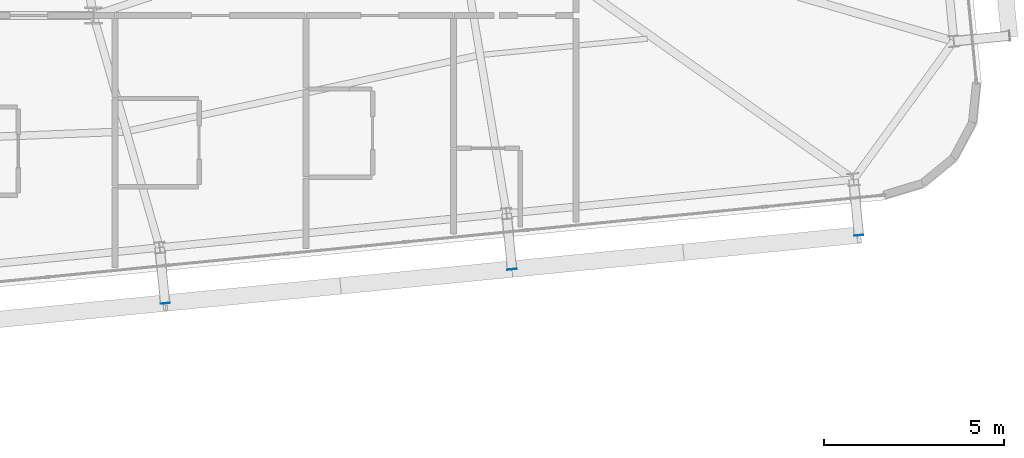
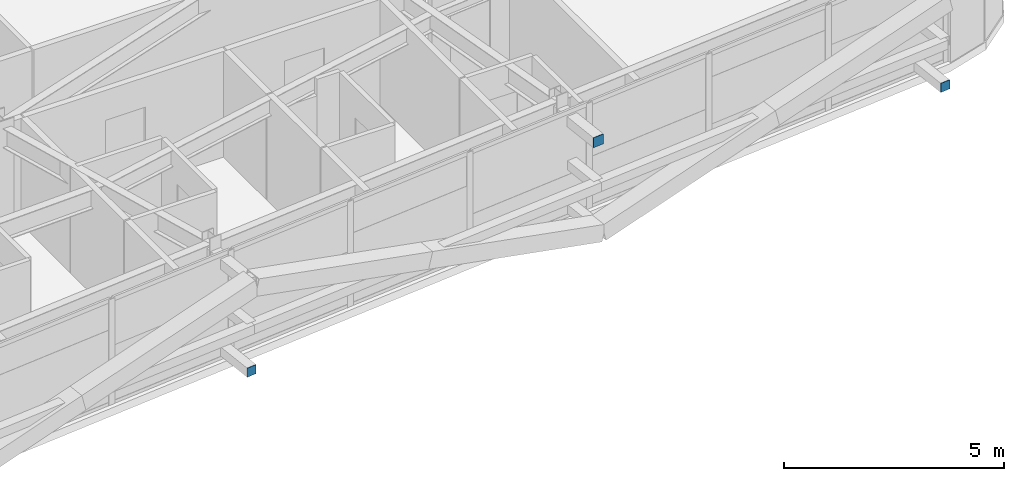
# One storey, part 41 of 53: 3 plates.
"""IFC4 building model written with IfcOpenShell, lengths in metres."""

from ifc_helpers import new_model, si_unit, direction, frame, origin, origin_2d, place, context, subcontext, project, spatial, rectangle, extrude, source, transform, mapped, material, layer, layer_set, type_object, element, save


model = new_model("IFC4")

# Units and contexts
model_context = context("Model", 3, precision=1e-05, world=origin(), true_north=direction((0.0, 1.0)))
body_context = subcontext(model_context, "Body", "Model", "MODEL_VIEW")
ifc_project = project(units=[si_unit("LENGTHUNIT", "METRE"), si_unit("AREAUNIT", "SQUARE_METRE"), si_unit("VOLUMEUNIT", "CUBIC_METRE"), si_unit("PLANEANGLEUNIT", "RADIAN"), si_unit("MASSUNIT", "GRAM", prefix="KILO")], contexts=[model_context])

# Site, building, storey
site_placement = place(None, origin())
site = spatial("IfcSite", under=ifc_project, at=site_placement, CompositionType="ELEMENT")
building_placement = place(site_placement, origin())
building = spatial("IfcBuilding", under=site, at=building_placement, Name="Taldren Reach Tower", CompositionType="ELEMENT")
storey_placement = place(building_placement, frame((0.0, 0.0, 68.25)))
storey = spatial("IfcBuildingStorey", under=building, at=storey_placement, Name="L20", CompositionType="ELEMENT", Elevation=68.25)

# Plates
ifc_material_1 = material(Name="Steel Gr 450 (C450L0)", Category="steel")
ifc_layer_1 = layer(ifc_material_1, 0.011962890625)
ifc_layer_set_1 = layer_set([ifc_layer_1], Name="Steel Gr 450 (C450L0)")
plate_type_1 = type_object("IfcPlateType", Name="PL-CAP-275", PredefinedType="SHEET", material=ifc_layer_set_1)
shared_shape_1 = source(origin(), body_context, "Body", "SweptSolid", [
    extrude(rectangle(XDim=0.27490234375, YDim=0.011962890625, at=origin_2d()), origin(), (0.0, 0.0, 1.0), 0.27490234375),
])
plate_placement = place(storey_placement, frame((53.62109375, 2.14990234375, 2.512451171875), z_axis=(0.0, 0.0, 1.0), x_axis=(0.995227399982, 0.097582899759, 0.0)))
element("IfcPlate", 1, at=plate_placement, inside=storey, type_object=plate_type_1, Name="Tie strut end cap plate B2-S5 L20", PredefinedType="SHEET", context=body_context, shape_type="MappedRepresentation", body=[
    mapped(shared_shape_1, transform((0.0, 0.0, 0.0), scale=1.0)),
])
ifc_material_2 = material(Name="Steel Gr 350 (C350L0)", Category="steel")
ifc_layer_2 = layer(ifc_material_2, 0.011962890625)
ifc_layer_set_2 = layer_set([ifc_layer_2], Name="Steel Gr 350 (C350L0)")
plate_type_2 = type_object("IfcPlateType", Name="PL-CAP-250", PredefinedType="SHEET", material=ifc_layer_set_2)
shared_shape_2 = source(origin(), body_context, "Body", "SweptSolid", [
    extrude(rectangle(XDim=0.25, YDim=0.011962890625, at=origin_2d()), origin(), (0.0, 0.0, 1.0), 0.25),
])
for number, where, z_axis, x_axis, name in (
    (2, (43.9873046875, 1.205322265625, 0.094970703125), (0.0, 0.0, 1.0), (0.995227399982, 0.097582899759, 0.0), "Tie strut end cap plate B2-S4 L20"),
    (3, (63.255126953125, 3.094482421875, 0.094970703125), (0.0, 0.0, 1.0), (0.995227399982, 0.097582899759, 0.0), "Tie strut end cap plate B2-S6 L20"),
):
    element("IfcPlate", number, at=place(storey_placement, frame(where, z_axis=z_axis, x_axis=x_axis)), inside=storey, type_object=plate_type_2, Name=name, PredefinedType="SHEET", context=body_context, shape_type="MappedRepresentation", body=[
        mapped(shared_shape_2, transform((0.0, 0.0, 0.0), scale=1.0)),
    ])

save(model, "model.ifc")
